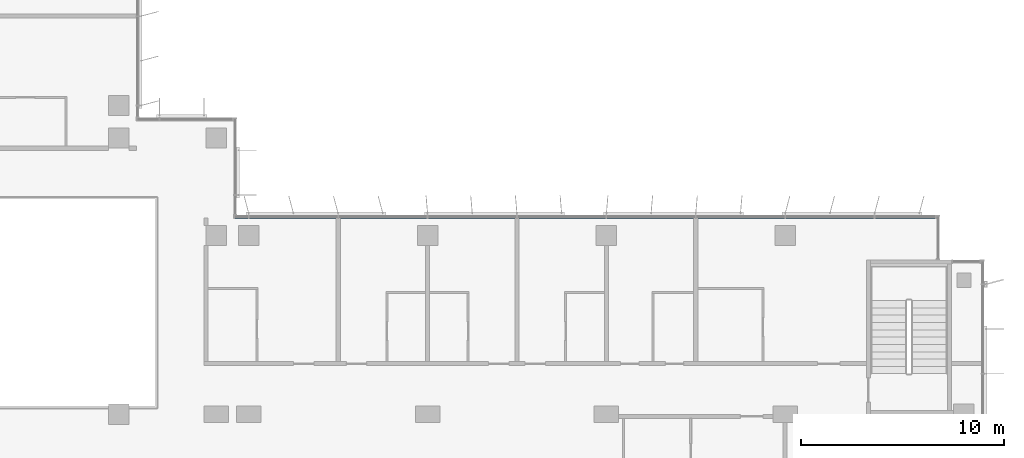
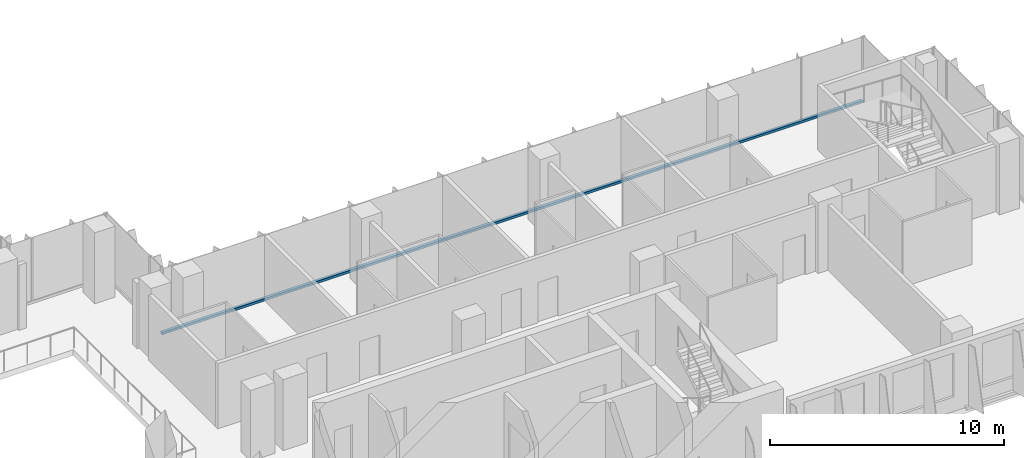
# One storey, part 3 of 21: 1 member, 1 element without a shape of its own.
"""IFC4 building model written with IfcOpenShell, lengths in metres."""

from ifc_helpers import new_model, si_unit, direction, frame, origin, origin_2d, place, context, subcontext, project, spatial, rectangle, extrude, material, material_profile, profile_set, type_object, element, aggregate, save


model = new_model("IFC4")

# Units and contexts
model_context = context("Model", 3, precision=1e-05, world=origin(), true_north=direction((0.0, 1.0)))
body_context = subcontext(model_context, "Body", "Model", "MODEL_VIEW")
ifc_project = project(units=[si_unit("LENGTHUNIT", "METRE"), si_unit("AREAUNIT", "SQUARE_METRE"), si_unit("VOLUMEUNIT", "CUBIC_METRE"), si_unit("PLANEANGLEUNIT", "RADIAN"), si_unit("MASSUNIT", "GRAM", prefix="KILO")], contexts=[model_context])

# Site, building, storey
site_placement = place(None, origin())
site = spatial("IfcSite", under=ifc_project, at=site_placement, CompositionType="ELEMENT")
building_placement = place(site_placement, origin())
building = spatial("IfcBuilding", under=site, at=building_placement, Name="Kemantara Hotel Tower", CompositionType="ELEMENT")
storey_placement = place(building_placement, frame((0.0, 0.0, 171.60009765625)))
storey = spatial("IfcBuildingStorey", under=building, at=storey_placement, Name="L42", CompositionType="ELEMENT", Elevation=171.60009765625)

# Curtain wall, member
ifc_material_1 = material(Name="Low-E tinted double insulated glass 36 mm", Category="glass")
curtain_wall_type = type_object("IfcCurtainWallType", Name="TOWER CURTAIN WALL, FRONT FACES", PredefinedType="USERDEFINED", material=ifc_material_1)
curtain_wall_placement = place(storey_placement, origin())
curtain_wall = element("IfcCurtainWall", 1, at=curtain_wall_placement, inside=storey, type_object=curtain_wall_type, Name="CW4 L42 T3-R14-1", ObjectType="TOWER CURTAIN WALL, FRONT FACES", PredefinedType="USERDEFINED")
ifc_material_2 = material(Name="Aluminium 6063-T6 bronze anodised", Category="aluminium")
ifc_material_profile = material_profile(ifc_material_2, rectangle(XDim=0.14990234375, YDim=0.1201171875, at=origin_2d()), Name="TOWER CURTAIN WALL, FRONT FACES TRANSOM")
ifc_profile_set = profile_set([ifc_material_profile], Name="Aluminium 6063-T6 bronze anodised")
member_type = type_object("IfcMemberType", Name="TOWER CURTAIN WALL, FRONT FACES TRANSOM", PredefinedType="USERDEFINED", material=ifc_profile_set)
member_placement = place(storey_placement, frame((61.25, 21.925048828125, 0.059814453125), z_axis=(-1.0, 0.0, 0.0), x_axis=(0.0, -1.0, 0.0)))
member = element("IfcMember", 2, at=member_placement, type_object=member_type, Name="CW4 sill transom T3-R14-1", ObjectType="TRANSOM", PredefinedType="USERDEFINED", context=body_context, shape_type="SweptSolid", body=[
    extrude(rectangle(XDim=0.14990234375, YDim=0.1201171875, at=origin_2d()), origin(), (0.0, 0.0, 1.0), 34.60009765625),
])
aggregate(curtain_wall, [member])

save(model, "model.ifc")
